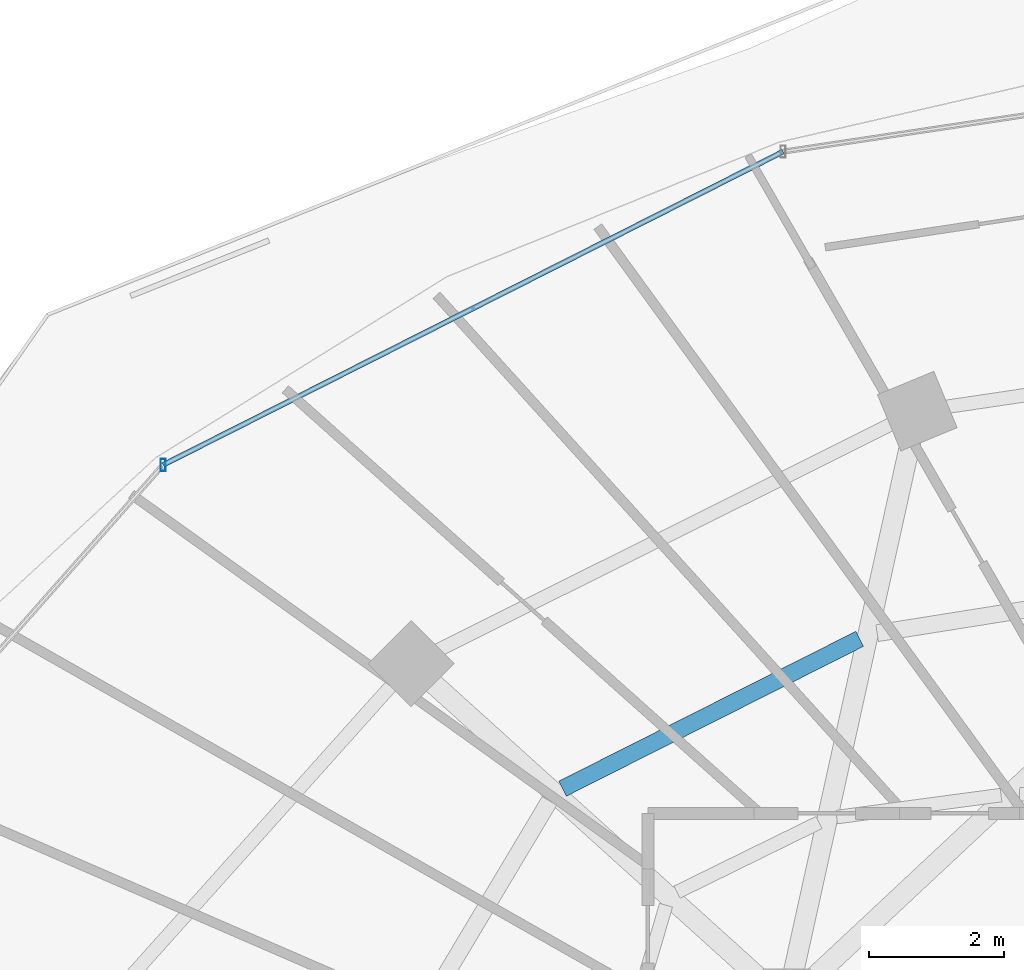
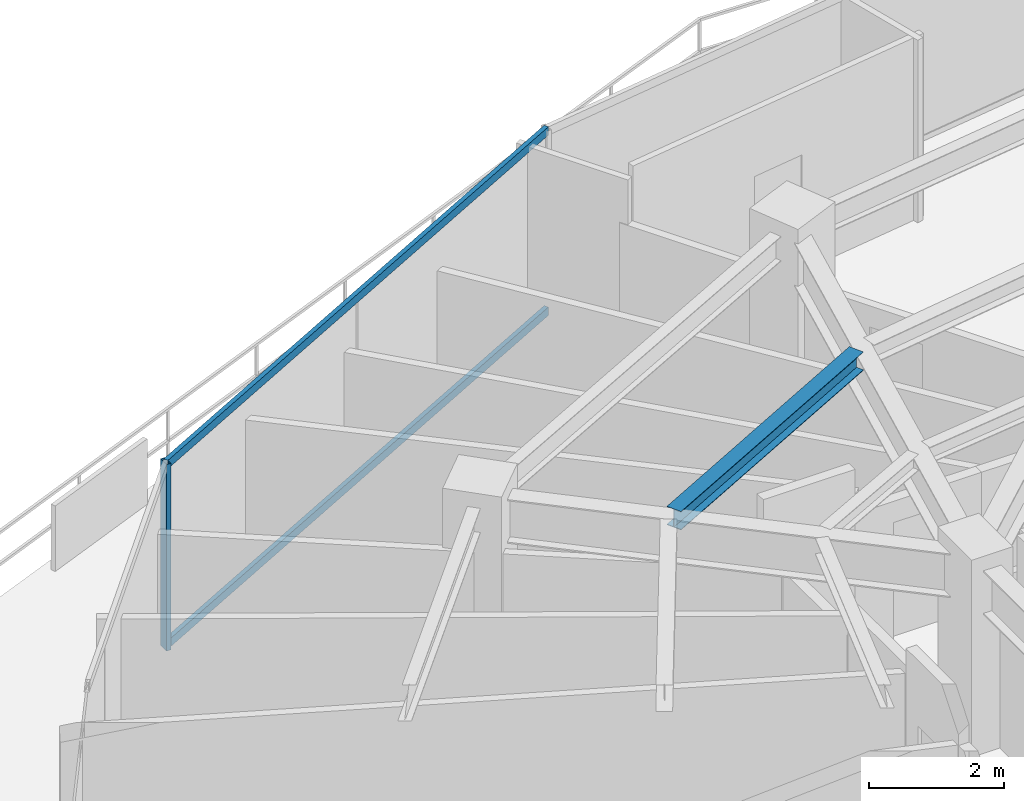
# One storey, part 18 of 34: 3 members, 1 beam, 1 element without a shape of its own.
"""IFC4 building model written with IfcOpenShell, lengths in metres."""

from ifc_helpers import new_model, si_unit, direction, frame, origin, origin_2d, place, context, subcontext, project, spatial, hollow_rectangle, i_section, extrude, material, material_profile, profile_set, type_object, element, aggregate, save


model = new_model("IFC4")

# Units and contexts
model_context = context("Model", 3, precision=1e-05, world=origin(), true_north=direction((0.0, 1.0)))
body_context = subcontext(model_context, "Body", "Model", "MODEL_VIEW")
ifc_project = project(units=[si_unit("LENGTHUNIT", "METRE"), si_unit("AREAUNIT", "SQUARE_METRE"), si_unit("VOLUMEUNIT", "CUBIC_METRE"), si_unit("PLANEANGLEUNIT", "RADIAN"), si_unit("MASSUNIT", "GRAM", prefix="KILO")], contexts=[model_context])

# Site, building, storey
site_placement = place(None, origin())
site = spatial("IfcSite", under=ifc_project, at=site_placement, CompositionType="ELEMENT")
building_placement = place(site_placement, origin())
building = spatial("IfcBuilding", under=site, at=building_placement, Name="Vorneva Point Tower", CompositionType="ELEMENT")
storey_placement = place(building_placement, frame((0.0, 0.0, 214.300048828125)))
storey = spatial("IfcBuildingStorey", under=building, at=storey_placement, Name="L58", CompositionType="ELEMENT", Elevation=214.300048828125)

# Beam
ifc_material_1 = material(Name="Steel S355", Category="steel")
ifc_material_profile_1 = material_profile(ifc_material_1, i_section(OverallWidth=0.2490234375, OverallDepth=0.333984375, WebThickness=0.008056640625, FlangeThickness=0.010986328125, at=origin_2d()), Name="35Sh1")
ifc_profile_set_1 = profile_set([ifc_material_profile_1], Name="Steel S355")
beam_type = type_object("IfcBeamType", Name="BM-SEC-35Sh1", PredefinedType="BEAM", material=ifc_profile_set_1)
beam_placement = place(storey_placement, frame((28.327392578125, 38.527587890625, 3.123046875), z_axis=(-0.89285196268, -0.450350277827, 0.0), x_axis=(0.450350277827, -0.89285196268, 0.0)))
element("IfcBeam", 1, at=beam_placement, inside=storey, type_object=beam_type, Name="L58 Secondary Floor Beam 1.06", PredefinedType="BEAM", context=body_context, shape_type="SweptSolid", body=[
    extrude(i_section(OverallWidth=0.2490234375, OverallDepth=0.333984375, WebThickness=0.008056640625, FlangeThickness=0.010986328125, at=origin_2d()), origin(), (0.0, 0.0, 1.0), 4.914794921875),
])

# Curtain wall, members
ifc_material_2 = material(Name="Pale anodised aluminium", Category="aluminium")
curtain_wall_type = type_object("IfcCurtainWallType", Name="CW-RES-SYS", PredefinedType="NOTDEFINED", material=ifc_material_2)
curtain_wall_placement = place(storey_placement, origin())
curtain_wall = element("IfcCurtainWall", 2, at=curtain_wall_placement, inside=storey, type_object=curtain_wall_type, Name="L58 Unitised Curtain Wall CW-L58-R02", PredefinedType="NOTDEFINED")
ifc_material_profile_2 = material_profile(ifc_material_2, hollow_rectangle(XDim=0.074951171875, YDim=0.179931640625, WallThickness=0.00390625, at=origin_2d()), Name="AL-MUL 180x75x4")
ifc_profile_set_2 = profile_set([ifc_material_profile_2], Name="Pale anodised aluminium")
member_type_1 = type_object("IfcMemberType", Name="CW-MUL-180", PredefinedType="MULLION", material=ifc_profile_set_2)
member_1_placement = place(storey_placement, frame((18.038330078125, 41.0966796875, -0.0400390625), z_axis=(0.0, 0.0, 1.0), x_axis=(1.0, 0.0, 0.0)))
member_1 = element("IfcMember", 3, at=member_1_placement, type_object=member_type_1, Name="CW-L58-R02 Mullion 05", PredefinedType="MULLION", context=body_context, shape_type="SweptSolid", body=[
    extrude(hollow_rectangle(XDim=0.074951171875, YDim=0.179931640625, WallThickness=0.00390625, at=origin_2d()), origin(), (0.0, 0.0, 1.0), 3.360107421875),
])
ifc_material_profile_3 = material_profile(ifc_material_2, hollow_rectangle(XDim=0.074951171875, YDim=0.14990234375, WallThickness=0.00390625, at=origin_2d()), Name="AL-TRN 150x75x4")
ifc_profile_set_3 = profile_set([ifc_material_profile_3], Name="Pale anodised aluminium")
member_type_2 = type_object("IfcMemberType", Name="CW-TRN-150", PredefinedType="USERDEFINED", material=ifc_profile_set_3)
member_2_placement = place(storey_placement, frame((27.19677734375, 45.724853515625, 0.02001953125), z_axis=(-0.892510927709, -0.451025768576, 0.0), x_axis=(0.451025768576, -0.892510927709, 0.0)))
member_2 = element("IfcMember", 4, at=member_2_placement, type_object=member_type_2, Name="CW-L58-R02 Transom 04.1", ObjectType="TRANSOM", PredefinedType="USERDEFINED", context=body_context, shape_type="SweptSolid", body=[
    extrude(hollow_rectangle(XDim=0.074951171875, YDim=0.14990234375, WallThickness=0.00390625, at=origin_2d()), origin(), (0.0, 0.0, 1.0), 10.261474609375),
])
member_3_placement = place(storey_placement, frame((27.19677734375, 45.724853515625, 3.27001953125), z_axis=(-0.892510927709, -0.451025768576, 0.0), x_axis=(0.451025768576, -0.892510927709, 0.0)))
member_3 = element("IfcMember", 5, at=member_3_placement, type_object=member_type_2, Name="CW-L58-R02 Transom 04.2", ObjectType="TRANSOM", PredefinedType="USERDEFINED", context=body_context, shape_type="SweptSolid", body=[
    extrude(hollow_rectangle(XDim=0.074951171875, YDim=0.14990234375, WallThickness=0.00390625, at=origin_2d()), origin(), (0.0, 0.0, 1.0), 10.261474609375),
])
aggregate(curtain_wall, [member_1, member_2, member_3])

save(model, "model.ifc")
